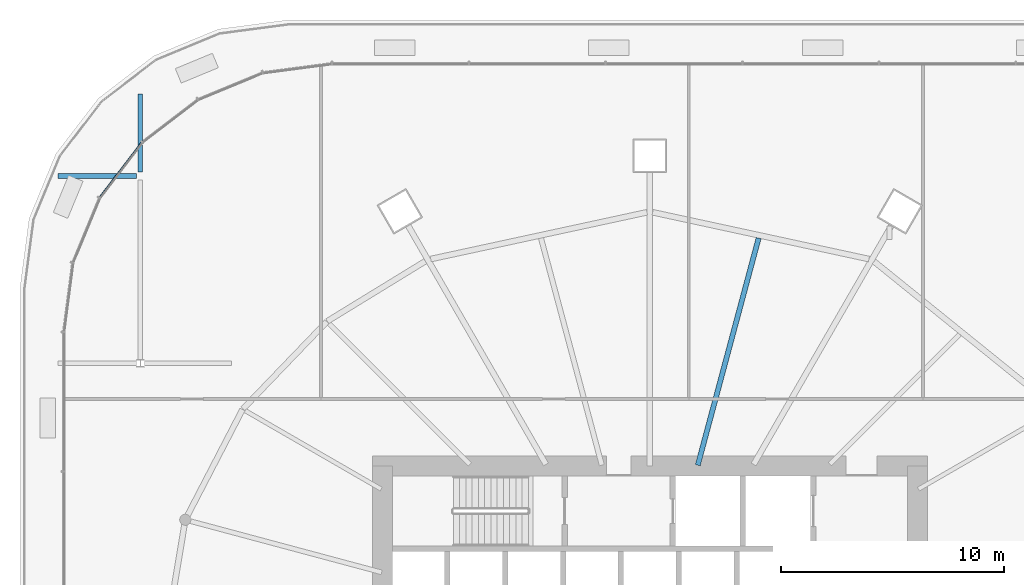
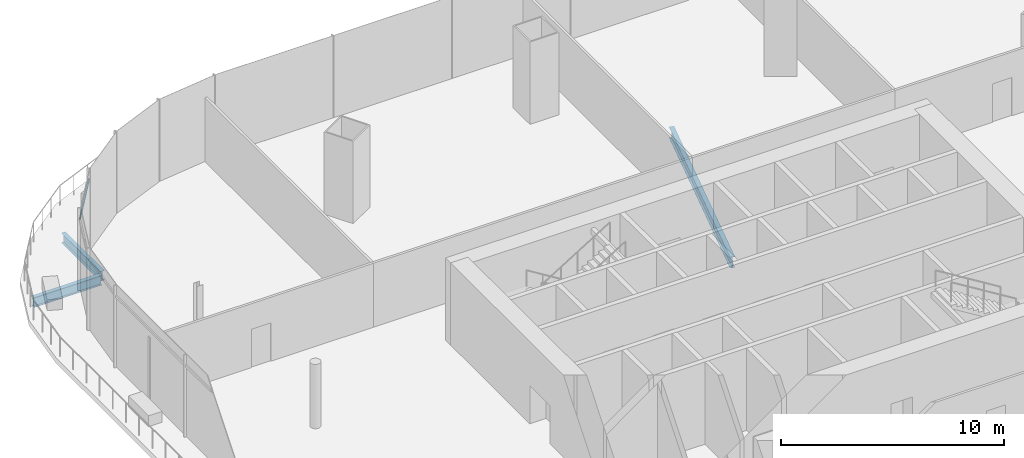
# One storey, part 16 of 49: 3 beams, 1 member, 1 element without a shape of its own.
"""IFC4 building model written with IfcOpenShell, lengths in metres."""

from ifc_helpers import new_model, si_unit, direction, frame, origin, origin_2d, place, context, subcontext, project, spatial, rectangle, i_section, extrude, material, material_profile, profile_set, type_object, element, aggregate, save


model = new_model("IFC4")

# Units and contexts
model_context = context("Model", 3, precision=1e-05, world=origin(), true_north=direction((0.0, 1.0)))
body_context = subcontext(model_context, "Body", "Model", "MODEL_VIEW")
ifc_project = project(units=[si_unit("LENGTHUNIT", "METRE"), si_unit("AREAUNIT", "SQUARE_METRE"), si_unit("VOLUMEUNIT", "CUBIC_METRE"), si_unit("PLANEANGLEUNIT", "RADIAN"), si_unit("MASSUNIT", "GRAM", prefix="KILO")], contexts=[model_context])

# Site, building, storey
site_placement = place(None, origin())
site = spatial("IfcSite", under=ifc_project, at=site_placement, CompositionType="ELEMENT")
building_placement = place(site_placement, origin())
building = spatial("IfcBuilding", under=site, at=building_placement, Name="Rimbun Link Towers", CompositionType="ELEMENT")
storey_placement = place(building_placement, frame((0.0, 0.0, 25.5)))
storey = spatial("IfcBuildingStorey", under=building, at=storey_placement, Name="L05", CompositionType="ELEMENT", Elevation=25.5)

# Curtain wall, member
ifc_material_1 = material(Name="Aluminium 6063-T6 and low-iron glass", Category="aluminium")
curtain_wall_type = type_object("IfcCurtainWallType", Name="CW3 podium shopfront", PredefinedType="NOTDEFINED", material=ifc_material_1)
curtain_wall_placement = place(storey_placement, origin())
curtain_wall = element("IfcCurtainWall", 1, at=curtain_wall_placement, inside=storey, type_object=curtain_wall_type, Name="CW3 L05 PD", PredefinedType="NOTDEFINED")
ifc_material_2 = material(Name="Aluminium 6063-T6", Category="aluminium")
ifc_material_profile_1 = material_profile(ifc_material_2, rectangle(XDim=0.06005859375, YDim=0.1201171875, at=origin_2d()), Name="TRANSOM 60X120")
ifc_profile_set_1 = profile_set([ifc_material_profile_1], Name="Aluminium 6063-T6")
member_type = type_object("IfcMemberType", Name="CW3 transom 60X120", PredefinedType="USERDEFINED", material=ifc_profile_set_1)
member_placement = place(storey_placement, frame((-56.4169921875, 20.056640625, 3.89990234375), z_axis=(0.608773432314, 0.793344129687, 0.0), x_axis=(-0.793344129687, 0.608773432314, 0.0)))
member = element("IfcMember", 2, at=member_placement, type_object=member_type, Name="CW3 transom", ObjectType="TRANSOM", PredefinedType="USERDEFINED", context=body_context, shape_type="SweptSolid", body=[
    extrude(rectangle(XDim=0.06005859375, YDim=0.1201171875, at=origin_2d()), origin(), (0.0, 0.0, 1.0), 3.07275390625),
])
aggregate(curtain_wall, [member])

# Beams
ifc_material_3 = material(Name="Steel S355J2", Category="steel")
ifc_material_profile_2 = material_profile(ifc_material_3, i_section(OverallWidth=0.209228515625, OverallDepth=0.533203125, WebThickness=0.010009765625, FlangeThickness=0.015625, at=origin_2d()), Name="UB 533x210x92")
ifc_profile_set_2 = profile_set([ifc_material_profile_2], Name="Steel S355J2")
beam_type_1 = type_object("IfcBeamType", Name="UB 533x210x92", PredefinedType="BEAM", material=ifc_profile_set_2)
for number, where, z_axis, x_axis, name in (
    (3, (-58.285400390625, 21.0, -0.56640625), (1.0, 0.0, 0.0), (0.0, 1.0, 0.0), "Grid beam L05 +21.0"),
    (4, (-54.60009765625, 21.180908203125, -0.56640625), (0.0, 1.0, 0.0), (-1.0, 0.0, 0.0), "Grid beam L05 -54.6"),
):
    element("IfcBeam", number, at=place(storey_placement, frame(where, z_axis=z_axis, x_axis=x_axis)), inside=storey, type_object=beam_type_1, Name=name, PredefinedType="BEAM", context=body_context, shape_type="SweptSolid", body=[
        extrude(i_section(OverallWidth=0.209228515625, OverallDepth=0.533203125, WebThickness=0.010009765625, FlangeThickness=0.015625, at=origin_2d()), origin(), (0.0, 0.0, 1.0), 3.5),
    ])
ifc_material_4 = material(Name="Steel S355J2", Category="steel")
ifc_material_profile_3 = material_profile(ifc_material_4, i_section(OverallWidth=0.2275390625, OverallDepth=0.6025390625, WebThickness=0.010498046875, FlangeThickness=0.014892578125, at=origin_2d()), Name="UB 610x229x101")
ifc_profile_set_3 = profile_set([ifc_material_profile_3], Name="Steel S355J2")
beam_type_2 = type_object("IfcBeamType", Name="UB 610x229x101", PredefinedType="BEAM", material=ifc_profile_set_3)
beam_placement = place(storey_placement, frame((-29.598388671875, 8.030517578125, -0.601318359375), z_axis=(0.258844096103, 0.965919113545, 0.0), x_axis=(-0.965919113545, 0.258844096103, 0.0)))
element("IfcBeam", 5, at=beam_placement, inside=storey, type_object=beam_type_2, Name="Radial beam T1 L05 05", PredefinedType="BEAM", context=body_context, shape_type="SweptSolid", body=[
    extrude(i_section(OverallWidth=0.2275390625, OverallDepth=0.6025390625, WebThickness=0.010498046875, FlangeThickness=0.014892578125, at=origin_2d()), origin(), (0.0, 0.0, 1.0), 10.544921875),
])

save(model, "model.ifc")
